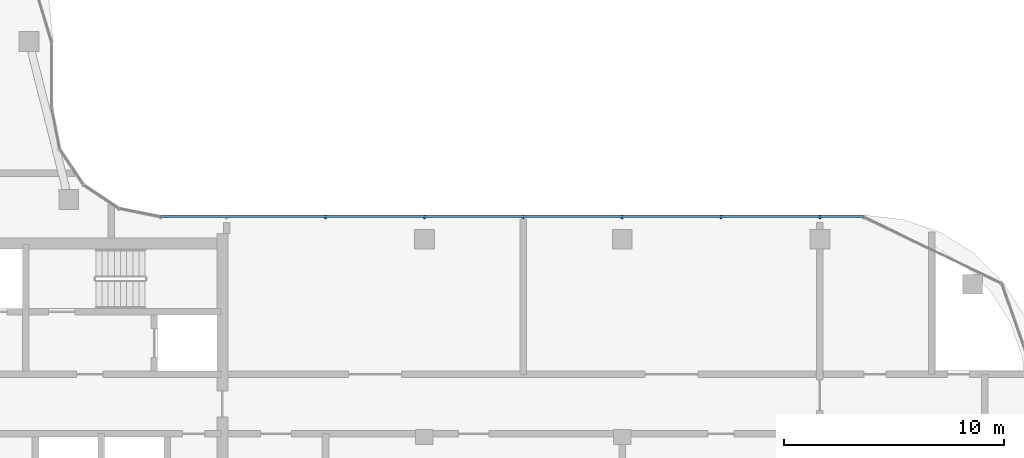
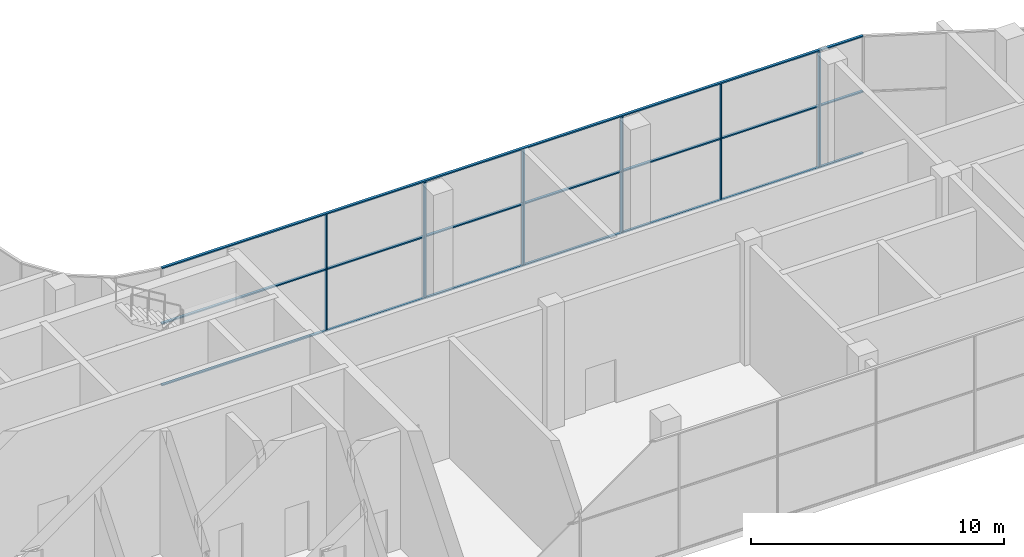
# One storey, part 7 of 21: 9 members, 1 element without a shape of its own.
"""IFC4 building model written with IfcOpenShell, lengths in metres."""

from ifc_helpers import new_model, si_unit, direction, frame, origin, origin_2d, place, context, subcontext, project, spatial, rectangle, extrude, material, material_profile, profile_set, type_object, element, aggregate, save


model = new_model("IFC4")

# Units and contexts
model_context = context("Model", 3, precision=1e-05, world=origin(), true_north=direction((0.0, 1.0)))
body_context = subcontext(model_context, "Body", "Model", "MODEL_VIEW")
ifc_project = project(units=[si_unit("LENGTHUNIT", "METRE"), si_unit("AREAUNIT", "SQUARE_METRE"), si_unit("VOLUMEUNIT", "CUBIC_METRE"), si_unit("PLANEANGLEUNIT", "RADIAN"), si_unit("MASSUNIT", "GRAM", prefix="KILO")], contexts=[model_context])

# Site, building, storey
site_placement = place(None, origin())
site = spatial("IfcSite", under=ifc_project, at=site_placement, CompositionType="ELEMENT")
building_placement = place(site_placement, origin())
building = spatial("IfcBuilding", under=site, at=building_placement, Name="Ogive Portal Towers", CompositionType="ELEMENT")
storey_placement = place(building_placement, frame((0.0, 0.0, 266.89990234375)))
storey = spatial("IfcBuildingStorey", under=building, at=storey_placement, Name="L65", CompositionType="ELEMENT", Elevation=266.89990234375)

# Curtain wall, members
ifc_material_1 = material(Name="Glass, clear low-iron insulated glazing", Category="glass")
curtain_wall_type = type_object("IfcCurtainWallType", Name="CW OBSERVATION WALL", PredefinedType="NOTDEFINED", material=ifc_material_1)
curtain_wall_placement = place(storey_placement, origin())
curtain_wall = element("IfcCurtainWall", 1, at=curtain_wall_placement, inside=storey, type_object=curtain_wall_type, Name="A:L65:f11:cw0", PredefinedType="NOTDEFINED")
ifc_material_2 = material(Name="Aluminium 6063 anodised", Category="aluminium")
ifc_material_profile_1 = material_profile(ifc_material_2, rectangle(XDim=0.159912109375, YDim=0.06005859375, at=origin_2d()), Name="AL 60x160")
ifc_profile_set_1 = profile_set([ifc_material_profile_1], Name="Aluminium 6063 anodised")
member_type_1 = type_object("IfcMemberType", Name="CW MULLION 60x160", PredefinedType="MULLION", material=ifc_profile_set_1)
member_1_placement = place(storey_placement, frame((85.5, 40.52001953125, 0.06005859375), z_axis=(0.0, 0.0, 1.0), x_axis=(0.0, -1.0, 0.0)))
member_1 = element("IfcMember", 2, at=member_1_placement, type_object=member_type_1, Name="mullion", PredefinedType="MULLION", context=body_context, shape_type="SweptSolid", body=[
    extrude(rectangle(XDim=0.159912109375, YDim=0.06005859375, at=origin_2d()), origin(), (0.0, 0.0, 1.0), 5.580078125),
])
member_2_placement = place(storey_placement, frame((81.0, 40.52001953125, 0.06005859375), z_axis=(0.0, 0.0, 1.0), x_axis=(0.0, -1.0, 0.0)))
member_2 = element("IfcMember", 3, at=member_2_placement, type_object=member_type_1, Name="mullion", PredefinedType="MULLION", context=body_context, shape_type="SweptSolid", body=[
    extrude(rectangle(XDim=0.159912109375, YDim=0.06005859375, at=origin_2d()), origin(), (0.0, 0.0, 1.0), 5.580078125),
])
member_3_placement = place(storey_placement, frame((76.5, 40.52001953125, 0.06005859375), z_axis=(0.0, 0.0, 1.0), x_axis=(0.0, -1.0, 0.0)))
member_3 = element("IfcMember", 4, at=member_3_placement, type_object=member_type_1, Name="mullion", PredefinedType="MULLION", context=body_context, shape_type="SweptSolid", body=[
    extrude(rectangle(XDim=0.159912109375, YDim=0.06005859375, at=origin_2d()), origin(), (0.0, 0.0, 1.0), 5.580078125),
])
member_4_placement = place(storey_placement, frame((72.0, 40.52001953125, 0.06005859375), z_axis=(0.0, 0.0, 1.0), x_axis=(0.0, -1.0, 0.0)))
member_4 = element("IfcMember", 5, at=member_4_placement, type_object=member_type_1, Name="mullion", PredefinedType="MULLION", context=body_context, shape_type="SweptSolid", body=[
    extrude(rectangle(XDim=0.159912109375, YDim=0.06005859375, at=origin_2d()), origin(), (0.0, 0.0, 1.0), 5.580078125),
])
member_5_placement = place(storey_placement, frame((67.5, 40.52001953125, 0.06005859375), z_axis=(0.0, 0.0, 1.0), x_axis=(0.0, -1.0, 0.0)))
member_5 = element("IfcMember", 6, at=member_5_placement, type_object=member_type_1, Name="mullion", PredefinedType="MULLION", context=body_context, shape_type="SweptSolid", body=[
    extrude(rectangle(XDim=0.159912109375, YDim=0.06005859375, at=origin_2d()), origin(), (0.0, 0.0, 1.0), 5.580078125),
])
member_6_placement = place(storey_placement, frame((63.0, 40.52001953125, 0.06005859375), z_axis=(0.0, 0.0, 1.0), x_axis=(0.0, -1.0, 0.0)))
member_6 = element("IfcMember", 7, at=member_6_placement, type_object=member_type_1, Name="mullion", PredefinedType="MULLION", context=body_context, shape_type="SweptSolid", body=[
    extrude(rectangle(XDim=0.159912109375, YDim=0.06005859375, at=origin_2d()), origin(), (0.0, 0.0, 1.0), 5.580078125),
])
ifc_material_profile_2 = material_profile(ifc_material_2, rectangle(XDim=0.1201171875, YDim=0.06005859375, at=origin_2d()), Name="AL 120x60")
ifc_profile_set_2 = profile_set([ifc_material_profile_2], Name="Aluminium 6063 anodised")
member_type_2 = type_object("IfcMemberType", Name="CW TRANSOM 60x120", PredefinedType="USERDEFINED", material=ifc_profile_set_2)
member_7_placement = place(storey_placement, frame((87.481689453125, 40.52001953125, 0.030029296875), z_axis=(-1.0, 0.0, 0.0), x_axis=(0.0, -1.0, 0.0)))
member_7 = element("IfcMember", 8, at=member_7_placement, type_object=member_type_2, Name="transom", ObjectType="TRANSOM", PredefinedType="USERDEFINED", context=body_context, shape_type="SweptSolid", body=[
    extrude(rectangle(XDim=0.1201171875, YDim=0.06005859375, at=origin_2d()), origin(), (0.0, 0.0, 1.0), 31.989501953125),
])
member_8_placement = place(storey_placement, frame((87.481689453125, 40.52001953125, 3.0), z_axis=(-1.0, 0.0, 0.0), x_axis=(0.0, -1.0, 0.0)))
member_8 = element("IfcMember", 9, at=member_8_placement, type_object=member_type_2, Name="transom", ObjectType="TRANSOM", PredefinedType="USERDEFINED", context=body_context, shape_type="SweptSolid", body=[
    extrude(rectangle(XDim=0.1201171875, YDim=0.06005859375, at=origin_2d()), origin(), (0.0, 0.0, 1.0), 31.989501953125),
])
member_9_placement = place(storey_placement, frame((87.481689453125, 40.52001953125, 5.670166015625), z_axis=(-1.0, 0.0, 0.0), x_axis=(0.0, -1.0, 0.0)))
member_9 = element("IfcMember", 10, at=member_9_placement, type_object=member_type_2, Name="transom", ObjectType="TRANSOM", PredefinedType="USERDEFINED", context=body_context, shape_type="SweptSolid", body=[
    extrude(rectangle(XDim=0.1201171875, YDim=0.06005859375, at=origin_2d()), origin(), (0.0, 0.0, 1.0), 31.989501953125),
])
aggregate(curtain_wall, [member_7, member_8, member_9, member_1, member_2, member_3, member_4, member_5, member_6])

save(model, "model.ifc")
